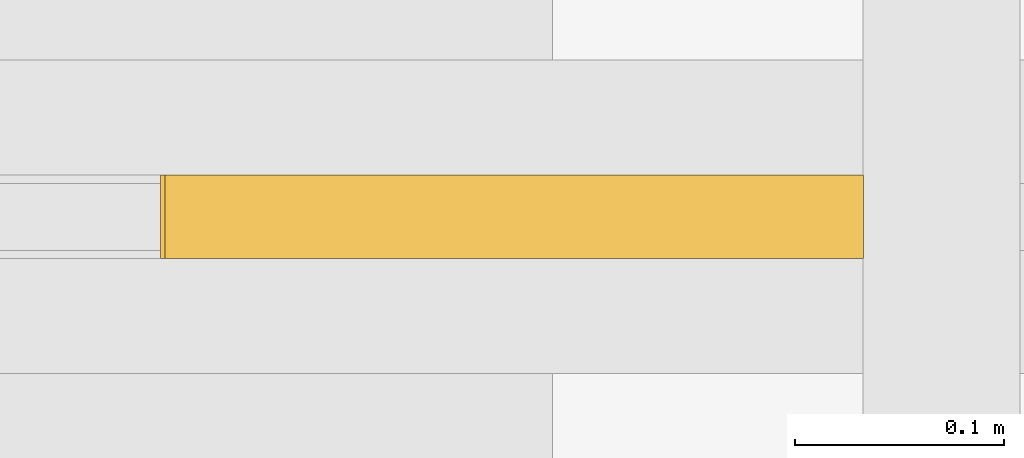
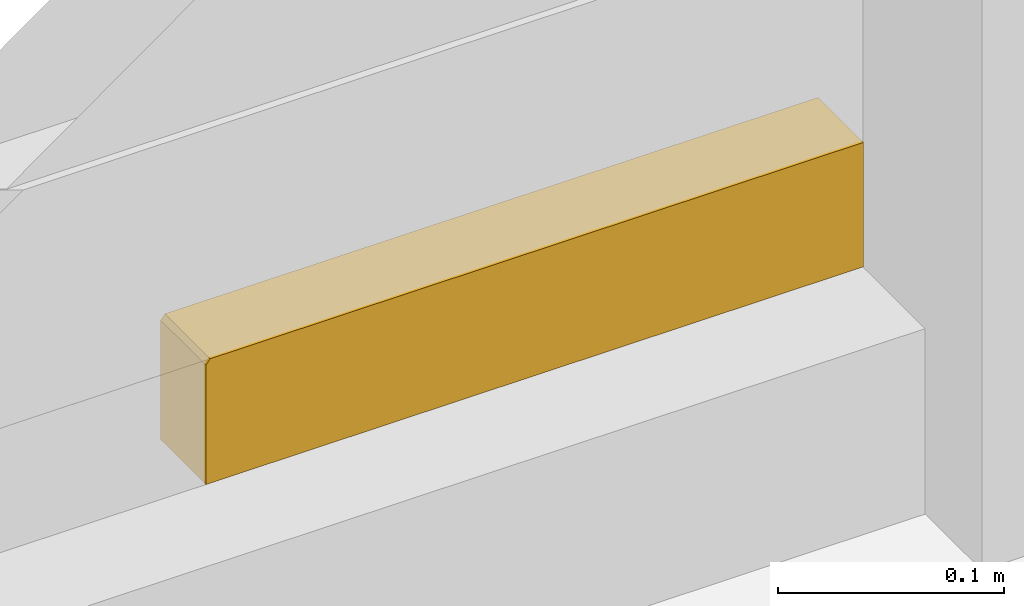
# One storey, part 25 of 25: 1 covering.
"""IFC4 building model written with IfcOpenShell, lengths in metres."""

from ifc_helpers import new_model, si_unit, direction, frame, origin, place, context, subcontext, project, spatial, polyline, outline, extrude, material, layer, layer_set, type_object, element, save


model = new_model("IFC4")

# Units and contexts
model_context = context("Model", 3, precision=1e-05, world=origin(), true_north=direction((0.0, 1.0)))
body_context = subcontext(model_context, "Body", "Model", "MODEL_VIEW")
ifc_project = project(units=[si_unit("LENGTHUNIT", "METRE"), si_unit("AREAUNIT", "SQUARE_METRE"), si_unit("VOLUMEUNIT", "CUBIC_METRE"), si_unit("PLANEANGLEUNIT", "RADIAN"), si_unit("MASSUNIT", "GRAM", prefix="KILO")], contexts=[model_context])

# Site, building, storey
site_placement = place(None, origin())
site = spatial("IfcSite", under=ifc_project, at=site_placement, CompositionType="ELEMENT")
building_placement = place(site_placement, origin())
building = spatial("IfcBuilding", under=site, at=building_placement, Name="Malebo Sky Hospital", CompositionType="ELEMENT")
storey_placement = place(building_placement, frame((0.0, 0.0, 11.0)))
storey = spatial("IfcBuildingStorey", under=building, at=storey_placement, Name="L02", CompositionType="ELEMENT", Elevation=11.0)

# Covering
ifc_material = material(Name="Anodised aluminium, natural silver insulated infill panel", Category="aluminium")
ifc_layer = layer(ifc_material, 0.0400390625)
ifc_layer_set = layer_set([ifc_layer], Name="BRACE INFILL PANEL 40")
covering_type = type_object("IfcCoveringType", Name="BRACE INFILL PANEL 40", PredefinedType="CLADDING", material=ifc_layer_set)
covering_placement = place(storey_placement, frame((104.48046875, 85.875, 0.10009765625), z_axis=(0.0, 0.0, 1.0), x_axis=(-1.0, 0.0, 0.0)))
element("IfcCovering", 1, at=covering_placement, inside=storey, type_object=covering_type, Name="Brace infill panel 2.2", PredefinedType="CLADDING", context=body_context, shape_type="SweptSolid", body=[
    extrude(outline(polyline([(-0.16796875, 0.0), (0.167724609375, 0.0), (0.167724609375, 0.064453125), (0.16552734375, 0.067138671875), (-0.16796875, 0.067138671875), (-0.16796875, 0.0)])), frame((0.0, 0.02001953125, 0.0), z_axis=(0.0, -1.0, 0.0), x_axis=(1.0, 0.0, 0.0)), (0.0, 0.0, 1.0), 0.0400390625),
])

save(model, "model.ifc")
